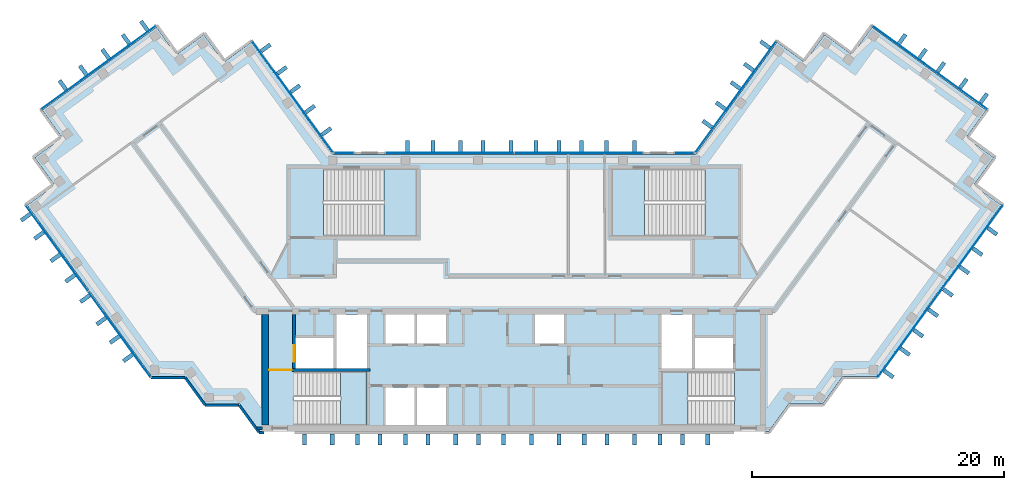
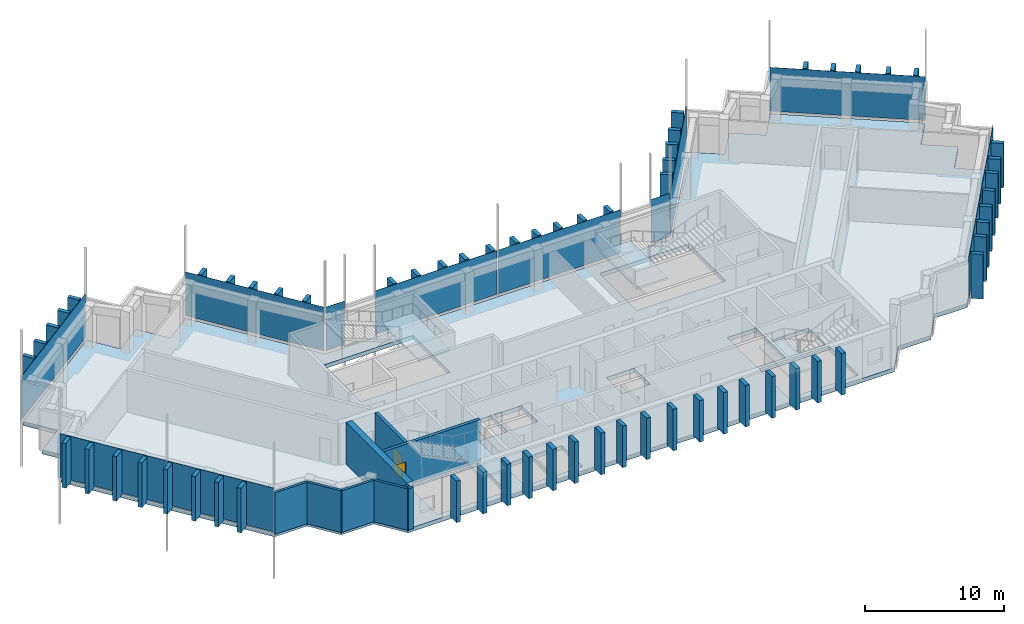
"""IFC4 building model written with IfcOpenShell, lengths in metres."""

from ifc_helpers import new_model, si_unit, direction, frame, frame_2d, origin, origin_2d, place, context, subcontext, project, spatial, polyline, rectangle, outline, extrude, material, layer, layer_set, type_object, element, fill, aggregate, save


model = new_model("IFC4")

# Units and contexts
model_context = context("Model", 3, precision=1e-05, world=origin(), true_north=direction((0.0, 1.0)))
body_context = subcontext(model_context, "Body", "Model", "MODEL_VIEW")
ifc_project = project(units=[si_unit("LENGTHUNIT", "METRE"), si_unit("AREAUNIT", "SQUARE_METRE"), si_unit("VOLUMEUNIT", "CUBIC_METRE"), si_unit("PLANEANGLEUNIT", "RADIAN"), si_unit("MASSUNIT", "GRAM", prefix="KILO")], contexts=[model_context])

# Site, building, storey
site_placement = place(None, origin())
site = spatial("IfcSite", under=ifc_project, at=site_placement, CompositionType="ELEMENT")
building_placement = place(site_placement, origin())
building = spatial("IfcBuilding", under=site, at=building_placement, Name="Quipu Civic Tower", CompositionType="ELEMENT")
storey_1_placement = place(building_placement, frame((0.0, 0.0, 347.0)))
storey_1 = spatial("IfcBuildingStorey", under=building, at=storey_1_placement, Name="L81", CompositionType="ELEMENT", Elevation=347.0)

# Slab
ifc_material_1 = material(Name="Concrete C40/50", Category="concrete")
ifc_layer_1 = layer(ifc_material_1, 0.35009765625)
ifc_layer_set_1 = layer_set([ifc_layer_1], Name="Concrete C40/50")
slab_type_1 = type_object("IfcSlabType", Name="Floor slab 350 C40/50", PredefinedType="FLOOR", material=ifc_layer_set_1)
slab_1_placement = place(storey_1_placement, frame((0.0, 0.0, -0.35009765625)))
element("IfcSlab", 1, at=slab_1_placement, inside=storey_1, type_object=slab_type_1, Name="Floor slab L81", PredefinedType="FLOOR", context=body_context, shape_type="SweptSolid", body=[
    extrude(outline(polyline([(20.860107421875, 19.89501953125), (23.0400390625, 18.31005859375), (24.6298828125, 20.4951171875), (26.81494140625, 18.905029296875), (28.39990234375, 21.090087890625), (37.4599609375, 14.5048828125), (35.875, 12.320068359375), (38.06005859375, 10.735107421875), (36.469970703125, 8.550048828125), (38.655029296875, 6.965087890625), (28.780029296875, -6.6298828125), (26.080078125, -6.6298828125), (24.489990234375, -8.81494140625), (21.7900390625, -8.81494140625), (20.205078125, -11.0), (-20.205078125, -11.0), (-21.7900390625, -8.81494140625), (-24.489990234375, -8.81494140625), (-26.080078125, -6.6298828125), (-28.780029296875, -6.6298828125), (-38.655029296875, 6.965087890625), (-36.469970703125, 8.550048828125), (-38.06005859375, 10.735107421875), (-35.875, 12.320068359375), (-37.4599609375, 14.5048828125), (-28.39990234375, 21.090087890625), (-26.81494140625, 18.905029296875), (-24.6298828125, 20.4951171875), (-23.0400390625, 18.31005859375), (-20.860107421875, 19.89501953125), (-14.39501953125, 11.0), (14.39501953125, 11.0), (20.860107421875, 19.89501953125)]), holes=[polyline([(-10.199951171875, -10.5), (-7.89990234375, -10.5), (-7.89990234375, -7.5), (-10.199951171875, -7.5), (-10.199951171875, -10.5)]), polyline([(-7.699951171875, -7.5), (-7.699951171875, -10.5), (-5.39990234375, -10.5), (-5.39990234375, -7.5), (-7.699951171875, -7.5)]), polyline([(-11.705078125, -6.2548828125), (-17.4951171875, -6.2548828125), (-17.4951171875, -10.4951171875), (-11.705078125, -10.4951171875), (-11.705078125, -6.2548828125)]), polyline([(-17.35009765625, -6.0), (-14.35009765625, -6.0), (-14.35009765625, -3.60009765625), (-17.35009765625, -3.60009765625), (-17.35009765625, -6.0)]), polyline([(-14.10009765625, -1.699951171875), (-14.10009765625, -6.0), (-11.699951171875, -6.0), (-11.699951171875, -1.699951171875), (-14.10009765625, -1.699951171875)]), polyline([(-10.199951171875, -1.699951171875), (-10.199951171875, -4.0), (-7.89990234375, -4.0), (-7.89990234375, -1.699951171875), (-10.199951171875, -1.699951171875)]), polyline([(-15.14501953125, 9.844970703125), (-15.14501953125, 4.5048828125), (-7.7548828125, 4.5048828125), (-7.7548828125, 9.844970703125), (-15.14501953125, 9.844970703125)]), polyline([(11.705078125, -10.4951171875), (17.4951171875, -10.4951171875), (17.4951171875, -6.2548828125), (11.705078125, -6.2548828125), (11.705078125, -10.4951171875)]), polyline([(14.35009765625, -3.60009765625), (14.35009765625, -6.0), (17.35009765625, -6.0), (17.35009765625, -3.60009765625), (14.35009765625, -3.60009765625)]), polyline([(11.699951171875, -1.699951171875), (11.699951171875, -6.0), (14.10009765625, -6.0), (14.10009765625, -1.699951171875), (11.699951171875, -1.699951171875)]), polyline([(-7.699951171875, -1.699951171875), (-7.699951171875, -4.0), (-5.39990234375, -4.0), (-5.39990234375, -1.699951171875), (-7.699951171875, -1.699951171875)]), polyline([(1.64990234375, -1.699951171875), (1.64990234375, -4.0), (3.949951171875, -4.0), (3.949951171875, -1.699951171875), (1.64990234375, -1.699951171875)]), polyline([(7.7548828125, 4.5048828125), (15.14501953125, 4.5048828125), (15.14501953125, 9.844970703125), (7.7548828125, 9.844970703125), (7.7548828125, 4.5048828125)])]), origin(), (0.0, 0.0, 1.0), 0.35009765625),
])

# Curtain wall, plate
ifc_material_2 = material(Name="Insulated glass unit", Category="glass")
curtain_wall_type = type_object("IfcCurtainWallType", Name="Office curtain wall CW1", PredefinedType="NOTDEFINED", material=ifc_material_2)
curtain_wall_1_placement = place(storey_1_placement, origin())
curtain_wall_1 = element("IfcCurtainWall", 2, at=curtain_wall_1_placement, inside=storey_1, type_object=curtain_wall_type, Name="Office curtain wall CW1 L80 run 1", PredefinedType="NOTDEFINED")
ifc_material_3 = material(Name="Insulated glass unit", Category="glass")
ifc_layer_2 = layer(ifc_material_3, 0.028076171875)
ifc_layer_set_2 = layer_set([ifc_layer_2], Name="Insulated glass unit")
plate_type_1 = type_object("IfcPlateType", Name="Glass panel CW1", PredefinedType="CURTAIN_PANEL", material=ifc_layer_set_2)
plate_1_placement = place(storey_1_placement, frame((-17.590087890625, 15.5673828125, 0.16015625), z_axis=(0.0, 0.0, 1.0), x_axis=(-0.587787771652, 0.809015163947, 0.0)))
plate_1 = element("IfcPlate", 3, at=plate_1_placement, type_object=plate_type_1, Name="CW1 panel 1.2", PredefinedType="CURTAIN_PANEL", context=body_context, shape_type="SweptSolid", body=[
    extrude(rectangle(XDim=10.88427734375, YDim=0.028076171875, at=origin_2d()), origin(), (0.0, 0.0, 1.0), 3.840087890625),
])
aggregate(curtain_wall_1, [plate_1])

curtain_wall_2_placement = place(storey_1_placement, origin())
curtain_wall_2 = element("IfcCurtainWall", 4, at=curtain_wall_2_placement, inside=storey_1, type_object=curtain_wall_type, Name="Office curtain wall CW1 L80 run 6", PredefinedType="NOTDEFINED")
plate_2_placement = place(storey_1_placement, frame((-32.989990234375, 17.87939453125, 0.16015625), z_axis=(0.0, 0.0, 1.0), x_axis=(-0.809015176832, -0.587787753918, 0.0)))
plate_2 = element("IfcPlate", 5, at=plate_2_placement, type_object=plate_type_1, Name="CW1 panel 1.2", PredefinedType="CURTAIN_PANEL", context=body_context, shape_type="SweptSolid", body=[
    extrude(rectangle(XDim=11.239990234375, YDim=0.028076171875, at=origin_2d()), origin(), (0.0, 0.0, 1.0), 3.840087890625),
])
aggregate(curtain_wall_2, [plate_2])

# Curtain wall, plates
curtain_wall_3_placement = place(storey_1_placement, origin())
curtain_wall_3 = element("IfcCurtainWall", 6, at=curtain_wall_3_placement, inside=storey_1, type_object=curtain_wall_type, Name="Office curtain wall CW1 L80 run 11", PredefinedType="NOTDEFINED")
plate_3_placement = place(storey_1_placement, frame((-36.292724609375, 3.54052734375, 0.16015625), z_axis=(0.0, 0.0, 1.0), x_axis=(0.587786237643, -0.809016278475, 0.0)))
plate_3 = element("IfcPlate", 7, at=plate_3_placement, type_object=plate_type_1, Name="CW1 panel 1.2", PredefinedType="CURTAIN_PANEL", context=body_context, shape_type="SweptSolid", body=[
    extrude(rectangle(XDim=8.35791015625, YDim=0.028076171875, at=origin_2d()), origin(), (0.0, 0.0, 1.0), 3.840087890625),
])
plate_4_placement = place(storey_1_placement, frame((-31.333251953125, -3.285888671875, 0.16015625), z_axis=(0.0, 0.0, 1.0), x_axis=(0.587786237643, -0.809016278475, 0.0)))
plate_4 = element("IfcPlate", 8, at=plate_4_placement, type_object=plate_type_1, Name="CW1 panel 2.2", PredefinedType="CURTAIN_PANEL", context=body_context, shape_type="SweptSolid", body=[
    extrude(rectangle(XDim=8.35791015625, YDim=0.028076171875, at=origin_2d()), origin(), (0.0, 0.0, 1.0), 3.840087890625),
])
aggregate(curtain_wall_3, [plate_3, plate_4])

# Curtain wall, plate
curtain_wall_4_placement = place(storey_1_placement, origin())
curtain_wall_4 = element("IfcCurtainWall", 9, at=curtain_wall_4_placement, inside=storey_1, type_object=curtain_wall_type, Name="Office curtain wall CW1 L80 run 21", PredefinedType="NOTDEFINED")
plate_5_placement = place(storey_1_placement, frame((32.989990234375, 17.87939453125, 0.16015625), z_axis=(0.0, 0.0, 1.0), x_axis=(-0.809015176832, 0.587787753918, 0.0)))
plate_5 = element("IfcPlate", 10, at=plate_5_placement, type_object=plate_type_1, Name="CW1 panel 1.2", PredefinedType="CURTAIN_PANEL", context=body_context, shape_type="SweptSolid", body=[
    extrude(rectangle(XDim=11.239990234375, YDim=0.028076171875, at=origin_2d()), origin(), (0.0, 0.0, 1.0), 3.840087890625),
])
aggregate(curtain_wall_4, [plate_5])

curtain_wall_5_placement = place(storey_1_placement, origin())
curtain_wall_5 = element("IfcCurtainWall", 11, at=curtain_wall_5_placement, inside=storey_1, type_object=curtain_wall_type, Name="Office curtain wall CW1 L80 run 26", PredefinedType="NOTDEFINED")
plate_6_placement = place(storey_1_placement, frame((17.590087890625, 15.5673828125, 0.16015625), z_axis=(0.0, 0.0, 1.0), x_axis=(-0.587787771652, -0.809015163947, 0.0)))
plate_6 = element("IfcPlate", 12, at=plate_6_placement, type_object=plate_type_1, Name="CW1 panel 1.2", PredefinedType="CURTAIN_PANEL", context=body_context, shape_type="SweptSolid", body=[
    extrude(rectangle(XDim=10.88427734375, YDim=0.028076171875, at=origin_2d()), origin(), (0.0, 0.0, 1.0), 3.840087890625),
])
aggregate(curtain_wall_5, [plate_6])

curtain_wall_6_placement = place(storey_1_placement, origin())
curtain_wall_6 = element("IfcCurtainWall", 13, at=curtain_wall_6_placement, inside=storey_1, type_object=curtain_wall_type, Name="Office curtain wall CW1 L80 run 27", PredefinedType="NOTDEFINED")
plate_7_placement = place(storey_1_placement, frame((13.49951171875, 11.10009765625, 0.16015625), z_axis=(0.0, 0.0, 1.0), x_axis=(-1.0, 0.0, 0.0)))
plate_7 = element("IfcPlate", 14, at=plate_7_placement, type_object=plate_type_1, Name="CW1 panel 1.2", PredefinedType="CURTAIN_PANEL", context=body_context, shape_type="SweptSolid", body=[
    extrude(rectangle(XDim=1.529296875, YDim=0.028076171875, at=origin_2d()), origin(), (0.0, 0.0, 1.0), 3.840087890625),
])
aggregate(curtain_wall_6, [plate_7])

# Curtain wall, plates
curtain_wall_7_placement = place(storey_1_placement, origin())
curtain_wall_7 = element("IfcCurtainWall", 15, at=curtain_wall_7_placement, inside=storey_1, type_object=curtain_wall_type, Name="Office curtain wall CW1 L80 run 29", PredefinedType="NOTDEFINED")
plate_8_placement = place(storey_1_placement, frame((5.11181640625, 11.10009765625, 0.16015625), z_axis=(0.0, 0.0, 1.0), x_axis=(-1.0, 0.0, 0.0)))
plate_8 = element("IfcPlate", 16, at=plate_8_placement, type_object=plate_type_1, Name="CW1 panel 1.2", PredefinedType="CURTAIN_PANEL", context=body_context, shape_type="SweptSolid", body=[
    extrude(rectangle(XDim=10.1435546875, YDim=0.028076171875, at=origin_2d()), origin(), (0.0, 0.0, 1.0), 3.840087890625),
])
plate_9_placement = place(storey_1_placement, frame((-5.11181640625, 11.10009765625, 0.16015625), z_axis=(0.0, 0.0, 1.0), x_axis=(-1.0, 0.0, 0.0)))
plate_9 = element("IfcPlate", 17, at=plate_9_placement, type_object=plate_type_1, Name="CW1 panel 2.2", PredefinedType="CURTAIN_PANEL", context=body_context, shape_type="SweptSolid", body=[
    extrude(rectangle(XDim=10.1435546875, YDim=0.028076171875, at=origin_2d()), origin(), (0.0, 0.0, 1.0), 3.840087890625),
])
aggregate(curtain_wall_7, [plate_8, plate_9])

# Curtain wall, plate
curtain_wall_8_placement = place(storey_1_placement, origin())
curtain_wall_8 = element("IfcCurtainWall", 18, at=curtain_wall_8_placement, inside=storey_1, type_object=curtain_wall_type, Name="Office curtain wall CW1 L80 run 31", PredefinedType="NOTDEFINED")
plate_10_placement = place(storey_1_placement, frame((-13.49951171875, 11.10009765625, 0.16015625), z_axis=(0.0, 0.0, 1.0), x_axis=(-1.0, 0.0, 0.0)))
plate_10 = element("IfcPlate", 19, at=plate_10_placement, type_object=plate_type_1, Name="CW1 panel 1.2", PredefinedType="CURTAIN_PANEL", context=body_context, shape_type="SweptSolid", body=[
    extrude(rectangle(XDim=1.529296875, YDim=0.028076171875, at=origin_2d()), origin(), (0.0, 0.0, 1.0), 3.840087890625),
])
aggregate(curtain_wall_8, [plate_10])

# Storey
storey_2_placement = place(building_placement, frame((0.0, 0.0, 351.0)))
storey_2 = spatial("IfcBuildingStorey", under=building, at=storey_2_placement, Name="L82", CompositionType="ELEMENT", Elevation=351.0)

# Curtain wall, plates
curtain_wall_9_placement = place(storey_2_placement, origin())
curtain_wall_9 = element("IfcCurtainWall", 20, at=curtain_wall_9_placement, inside=storey_2, type_object=curtain_wall_type, Name="Office curtain wall CW1 L81 run 4", PredefinedType="NOTDEFINED")
plate_11_placement = place(storey_1_placement, frame((31.333251953125, -3.285888671875, 0.240234375), z_axis=(0.0, 0.0, 1.0), x_axis=(0.587786237643, 0.809016278475, 0.0)))
plate_11 = element("IfcPlate", 21, at=plate_11_placement, inside=storey_1, type_object=plate_type_1, Name="CW1 panel 1.1", PredefinedType="CURTAIN_PANEL", context=body_context, shape_type="SweptSolid", body=[
    extrude(rectangle(XDim=8.35791015625, YDim=0.028076171875, at=origin_2d()), origin(), (0.0, 0.0, 1.0), 3.760009765625),
])
plate_12_placement = place(storey_1_placement, frame((36.292724609375, 3.54052734375, 0.240234375), z_axis=(0.0, 0.0, 1.0), x_axis=(0.587786237643, 0.809016278475, 0.0)))
plate_12 = element("IfcPlate", 22, at=plate_12_placement, inside=storey_1, type_object=plate_type_1, Name="CW1 panel 2.1", PredefinedType="CURTAIN_PANEL", context=body_context, shape_type="SweptSolid", body=[
    extrude(rectangle(XDim=8.35791015625, YDim=0.028076171875, at=origin_2d()), origin(), (0.0, 0.0, 1.0), 3.760009765625),
])
aggregate(curtain_wall_9, [plate_11, plate_12])

# Plates
ifc_material_4 = material(Name="Precast concrete C40/50", Category="concrete")
plate_type_2 = type_object("IfcPlateType", Name="Precast fin F3", PredefinedType="SHEET", material=ifc_material_4)
for number, where, z_axis, x_axis, name in (
    (23, (-14.90380859375, 12.805908203125, 0.080078125), (0.0, 0.0, 1.0), (-0.58778443384, 0.809017589015, 0.0), "Precast fin F3 L81.P04.1"),
    (24, (-16.197021484375, 14.585693359375, 0.080078125), (0.0, 0.0, 1.0), (-0.58778443384, 0.809017589015, 0.0), "Precast fin F3 L81.P04.2"),
    (25, (-17.37255859375, 16.203857421875, 0.080078125), (0.0, 0.0, 1.0), (-0.58778443384, 0.809017589015, 0.0), "Precast fin F3 L81.P04.3"),
    (26, (-18.4306640625, 17.66015625, 0.080078125), (0.0, 0.0, 1.0), (-0.58778443384, 0.809017589015, 0.0), "Precast fin F3 L81.P04.4"),
    (27, (-19.7236328125, 19.43994140625, 0.080078125), (0.0, 0.0, 1.0), (-0.58778443384, 0.809017589015, 0.0), "Precast fin F3 L81.P04.5"),
    (28, (-29.357177734375, 21.198486328125, 0.080078125), (0.0, 0.0, 1.0), (-0.809017072762, -0.587785144401, 0.0), "Precast fin F3 L81.P09.1"),
    (29, (-30.8134765625, 20.140625, 0.080078125), (0.0, 0.0, 1.0), (-0.809017072762, -0.587785144401, 0.0), "Precast fin F3 L81.P09.2"),
    (30, (-32.431640625, 18.96484375, 0.080078125), (0.0, 0.0, 1.0), (-0.809017072762, -0.587785144401, 0.0), "Precast fin F3 L81.P09.3"),
    (31, (-34.21142578125, 17.671875, 0.080078125), (0.0, 0.0, 1.0), (-0.809017072762, -0.587785144401, 0.0), "Precast fin F3 L81.P09.4"),
    (32, (-35.829345703125, 16.496337890625, 0.080078125), (0.0, 0.0, 1.0), (-0.809017072762, -0.587785144401, 0.0), "Precast fin F3 L81.P09.5"),
    (33, (-38.764892578125, 6.007568359375, 0.080078125), (0.0, 0.0, 1.0), (0.587786668783, -0.809015965233, 0.0), "Precast fin F3 L81.P14.1"),
    (34, (-37.70703125, 4.55126953125, 0.080078125), (0.0, 0.0, 1.0), (0.587786668783, -0.809015965233, 0.0), "Precast fin F3 L81.P14.2"),
    (35, (-36.413818359375, 2.771484375, 0.080078125), (0.0, 0.0, 1.0), (0.587786668783, -0.809015965233, 0.0), "Precast fin F3 L81.P14.3"),
    (36, (-35.23828125, 1.1533203125, 0.080078125), (0.0, 0.0, 1.0), (0.587786668783, -0.809015965233, 0.0), "Precast fin F3 L81.P14.4"),
    (37, (-34.062744140625, -0.464599609375, 0.080078125), (0.0, 0.0, 1.0), (0.587786668783, -0.809015965233, 0.0), "Precast fin F3 L81.P14.5"),
    (38, (-32.76953125, -2.244384765625, 0.080078125), (0.0, 0.0, 1.0), (0.587786668783, -0.809015965233, 0.0), "Precast fin F3 L81.P14.6"),
    (39, (-31.71142578125, -3.70068359375, 0.080078125), (0.0, 0.0, 1.0), (0.587786668783, -0.809015965233, 0.0), "Precast fin F3 L81.P14.7"),
    (40, (-30.653564453125, -5.156982421875, 0.080078125), (0.0, 0.0, 1.0), (0.587786668783, -0.809015965233, 0.0), "Precast fin F3 L81.P14.8"),
):
    element("IfcPlate", number, at=place(storey_1_placement, frame(where, z_axis=z_axis, x_axis=x_axis)), inside=storey_1, type_object=plate_type_2, Name=name, PredefinedType="SHEET", context=body_context, shape_type="SweptSolid", body=[
        extrude(rectangle(XDim=0.320068359375, YDim=0.89990234375, at=origin_2d()), origin(), (0.0, 0.0, 1.0), 3.919921875),
    ])
for number, where, z_axis, x_axis, name in (
    (41, (-16.639892578125, -11.637939453125, 0.0), (0.0, 0.0, 1.0), (1.0, 0.0, 0.0), "Precast fin F3 L81.P21.1"),
    (42, (-14.43994140625, -11.637939453125, 0.0), (0.0, 0.0, 1.0), (1.0, 0.0, 0.0), "Precast fin F3 L81.P21.2"),
    (43, (-12.43994140625, -11.637939453125, 0.0), (0.0, 0.0, 1.0), (1.0, 0.0, 0.0), "Precast fin F3 L81.P21.3"),
    (44, (-10.639892578125, -11.637939453125, 0.0), (0.0, 0.0, 1.0), (1.0, 0.0, 0.0), "Precast fin F3 L81.P21.4"),
    (45, (-8.639892578125, -11.637939453125, 0.0), (0.0, 0.0, 1.0), (1.0, 0.0, 0.0), "Precast fin F3 L81.P21.5"),
    (46, (-6.840087890625, -11.637939453125, 0.0), (0.0, 0.0, 1.0), (1.0, 0.0, 0.0), "Precast fin F3 L81.P21.6"),
    (47, (-4.639892578125, -11.637939453125, 0.0), (0.0, 0.0, 1.0), (1.0, 0.0, 0.0), "Precast fin F3 L81.P21.7"),
    (48, (-2.840087890625, -11.637939453125, 0.0), (0.0, 0.0, 1.0), (1.0, 0.0, 0.0), "Precast fin F3 L81.P21.8"),
    (49, (-0.840087890625, -11.637939453125, 0.0), (0.0, 0.0, 1.0), (1.0, 0.0, 0.0), "Precast fin F3 L81.P21.9"),
    (50, (1.360107421875, -11.637939453125, 0.0), (0.0, 0.0, 1.0), (1.0, 0.0, 0.0), "Precast fin F3 L81.P21.10"),
    (51, (3.56005859375, -11.637939453125, 0.0), (0.0, 0.0, 1.0), (1.0, 0.0, 0.0), "Precast fin F3 L81.P21.11"),
    (52, (5.56005859375, -11.637939453125, 0.0), (0.0, 0.0, 1.0), (1.0, 0.0, 0.0), "Precast fin F3 L81.P21.12"),
    (53, (7.360107421875, -11.637939453125, 0.0), (0.0, 0.0, 1.0), (1.0, 0.0, 0.0), "Precast fin F3 L81.P21.13"),
    (54, (9.56005859375, -11.637939453125, 0.0), (0.0, 0.0, 1.0), (1.0, 0.0, 0.0), "Precast fin F3 L81.P21.14"),
    (55, (11.56005859375, -11.637939453125, 0.0), (0.0, 0.0, 1.0), (1.0, 0.0, 0.0), "Precast fin F3 L81.P21.15"),
    (56, (13.360107421875, -11.637939453125, 0.0), (0.0, 0.0, 1.0), (1.0, 0.0, 0.0), "Precast fin F3 L81.P21.16"),
    (57, (15.360107421875, -11.637939453125, 0.0), (0.0, 0.0, 1.0), (1.0, 0.0, 0.0), "Precast fin F3 L81.P21.17"),
):
    element("IfcPlate", number, at=place(storey_1_placement, frame(where, z_axis=z_axis, x_axis=x_axis)), inside=storey_1, type_object=plate_type_2, Name=name, PredefinedType="SHEET", context=body_context, shape_type="SweptSolid", body=[
        extrude(rectangle(XDim=0.320068359375, YDim=0.89990234375, at=origin_2d()), origin(), (0.0, 0.0, 1.0), 3.64990234375),
    ])
for number, where, z_axis, x_axis, name in (
    (58, (37.26953125, 15.449951171875, 0.080078125), (0.0, 0.0, 1.0), (-0.809017072762, 0.587785144401, 0.0), "Precast fin F3 L81.P25.1"),
    (59, (35.6513671875, 16.62548828125, 0.080078125), (0.0, 0.0, 1.0), (-0.809017072762, 0.587785144401, 0.0), "Precast fin F3 L81.P25.2"),
    (60, (33.87158203125, 17.918701171875, 0.080078125), (0.0, 0.0, 1.0), (-0.809017072762, 0.587785144401, 0.0), "Precast fin F3 L81.P25.3"),
    (61, (32.415283203125, 18.976806640625, 0.080078125), (0.0, 0.0, 1.0), (-0.809017072762, 0.587785144401, 0.0), "Precast fin F3 L81.P25.4"),
    (62, (30.79736328125, 20.15234375, 0.080078125), (0.0, 0.0, 1.0), (-0.809017072762, 0.587785144401, 0.0), "Precast fin F3 L81.P25.5"),
    (63, (19.914794921875, 19.702880859375, 0.080078125), (0.0, 0.0, 1.0), (-0.58778443384, -0.809017589015, 0.0), "Precast fin F3 L81.P30.1"),
    (64, (18.62158203125, 17.923095703125, 0.080078125), (0.0, 0.0, 1.0), (-0.58778443384, -0.809017589015, 0.0), "Precast fin F3 L81.P30.2"),
    (65, (17.563720703125, 16.466796875, 0.080078125), (0.0, 0.0, 1.0), (-0.58778443384, -0.809017589015, 0.0), "Precast fin F3 L81.P30.3"),
    (66, (16.38818359375, 14.848876953125, 0.080078125), (0.0, 0.0, 1.0), (-0.58778443384, -0.809017589015, 0.0), "Precast fin F3 L81.P30.4"),
    (67, (15.330078125, 13.392578125, 0.080078125), (0.0, 0.0, 1.0), (-0.58778443384, -0.809017589015, 0.0), "Precast fin F3 L81.P30.5"),
    (68, (9.5400390625, 11.64990234375, 0.080078125), (0.0, 0.0, 1.0), (-1.0, 0.0, 0.0), "Precast fin F3 L81.P33.1"),
    (69, (7.340087890625, 11.64990234375, 0.080078125), (0.0, 0.0, 1.0), (-1.0, 0.0, 0.0), "Precast fin F3 L81.P33.2"),
    (70, (5.340087890625, 11.64990234375, 0.080078125), (0.0, 0.0, 1.0), (-1.0, 0.0, 0.0), "Precast fin F3 L81.P33.3"),
    (71, (3.5400390625, 11.64990234375, 0.080078125), (0.0, 0.0, 1.0), (-1.0, 0.0, 0.0), "Precast fin F3 L81.P33.4"),
    (72, (1.739990234375, 11.64990234375, 0.080078125), (0.0, 0.0, 1.0), (-1.0, 0.0, 0.0), "Precast fin F3 L81.P33.5"),
    (73, (-0.260009765625, 11.64990234375, 0.080078125), (0.0, 0.0, 1.0), (-1.0, 0.0, 0.0), "Precast fin F3 L81.P33.6"),
    (74, (-2.4599609375, 11.64990234375, 0.080078125), (0.0, 0.0, 1.0), (-1.0, 0.0, 0.0), "Precast fin F3 L81.P33.7"),
    (75, (-4.260009765625, 11.64990234375, 0.080078125), (0.0, 0.0, 1.0), (-1.0, 0.0, 0.0), "Precast fin F3 L81.P33.8"),
    (76, (-6.4599609375, 11.64990234375, 0.080078125), (0.0, 0.0, 1.0), (-1.0, 0.0, 0.0), "Precast fin F3 L81.P33.9"),
    (77, (-8.4599609375, 11.64990234375, 0.080078125), (0.0, 0.0, 1.0), (-1.0, 0.0, 0.0), "Precast fin F3 L81.P33.10"),
    (78, (29.721923828125, -6.43896484375, 0.080078125), (0.0, 0.0, 1.0), (0.587786668783, 0.809015965233, 0.0), "Precast fin F3 L81.4.1"),
    (79, (31.01513671875, -4.6591796875, 0.080078125), (0.0, 0.0, 1.0), (0.587786668783, 0.809015965233, 0.0), "Precast fin F3 L81.4.2"),
    (80, (32.0732421875, -3.202880859375, 0.080078125), (0.0, 0.0, 1.0), (0.587786668783, 0.809015965233, 0.0), "Precast fin F3 L81.4.3"),
    (81, (33.248779296875, -1.5849609375, 0.080078125), (0.0, 0.0, 1.0), (0.587786668783, 0.809015965233, 0.0), "Precast fin F3 L81.4.4"),
    (82, (34.42431640625, 0.033203125, 0.080078125), (0.0, 0.0, 1.0), (0.587786668783, 0.809015965233, 0.0), "Precast fin F3 L81.4.5"),
    (83, (35.717529296875, 1.81298828125, 0.080078125), (0.0, 0.0, 1.0), (0.587786668783, 0.809015965233, 0.0), "Precast fin F3 L81.4.6"),
    (84, (36.775390625, 3.269287109375, 0.080078125), (0.0, 0.0, 1.0), (0.587786668783, 0.809015965233, 0.0), "Precast fin F3 L81.4.7"),
    (85, (37.950927734375, 4.88720703125, 0.080078125), (0.0, 0.0, 1.0), (0.587786668783, 0.809015965233, 0.0), "Precast fin F3 L81.4.8"),
):
    element("IfcPlate", number, at=place(storey_1_placement, frame(where, z_axis=z_axis, x_axis=x_axis)), inside=storey_1, type_object=plate_type_2, Name=name, PredefinedType="SHEET", context=body_context, shape_type="SweptSolid", body=[
        extrude(rectangle(XDim=0.320068359375, YDim=0.89990234375, at=origin_2d()), origin(), (0.0, 0.0, 1.0), 3.919921875),
    ])

# Stair, slab
ifc_material_5 = material(Name="Concrete C40/50", Category="concrete")
stair_type_1 = type_object("IfcStairType", Name="Half turn stair 2000", PredefinedType="HALF_TURN_STAIR", material=ifc_material_5)
stair_1_placement = place(storey_1_placement, origin())
stair_1 = element("IfcStair", 86, at=stair_1_placement, inside=storey_1, type_object=stair_type_1, Name="Exit stair 1", PredefinedType="HALF_TURN_STAIR")
ifc_material_6 = material(Name="Concrete C40/50", Category="concrete")
ifc_layer_3 = layer(ifc_material_6, 0.199951171875)
ifc_layer_set_3 = layer_set([ifc_layer_3], Name="Concrete C40/50")
slab_type_2 = type_object("IfcSlabType", Name="Stair landing 200", PredefinedType="LANDING", material=ifc_layer_set_3)
slab_2_placement = place(storey_1_placement, frame((0.0, 0.0, 1.800048828125)))
slab_2 = element("IfcSlab", 87, at=slab_2_placement, type_object=slab_type_2, Name="ST-1 landing 1", PredefinedType="LANDING", context=body_context, shape_type="SweptSolid", body=[
    extrude(outline(polyline([(-13.780029296875, -10.5), (-11.699951171875, -10.5), (-11.699951171875, -6.25), (-13.780029296875, -6.25), (-13.780029296875, -10.5)])), origin(), (0.0, 0.0, 1.0), 0.199951171875),
])
aggregate(stair_1, [slab_2])

stair_2_placement = place(storey_1_placement, origin())
stair_2 = element("IfcStair", 88, at=stair_2_placement, inside=storey_1, type_object=stair_type_1, Name="Exit stair 2", PredefinedType="HALF_TURN_STAIR")
slab_3_placement = place(storey_1_placement, frame((0.0, 0.0, 1.800048828125)))
slab_3 = element("IfcSlab", 89, at=slab_3_placement, type_object=slab_type_2, Name="ST-2 landing 1", PredefinedType="LANDING", context=body_context, shape_type="SweptSolid", body=[
    extrude(outline(polyline([(13.780029296875, -6.25), (11.699951171875, -6.25), (11.699951171875, -10.5), (13.780029296875, -10.5), (13.780029296875, -6.25)])), origin(), (0.0, 0.0, 1.0), 0.199951171875),
])
aggregate(stair_2, [slab_3])

ifc_material_7 = material(Name="Concrete C40/50", Category="concrete")
stair_type_2 = type_object("IfcStairType", Name="Half turn stair 2600", PredefinedType="HALF_TURN_STAIR", material=ifc_material_7)
stair_3_placement = place(storey_1_placement, origin())
stair_3 = element("IfcStair", 90, at=stair_3_placement, inside=storey_1, type_object=stair_type_2, Name="Exit stair 3", PredefinedType="HALF_TURN_STAIR")
slab_4_placement = place(storey_1_placement, frame((0.0, 0.0, 1.800048828125)))
slab_4 = element("IfcSlab", 91, at=slab_4_placement, type_object=slab_type_2, Name="ST-3 landing 1", PredefinedType="LANDING", context=body_context, shape_type="SweptSolid", body=[
    extrude(outline(polyline([(-10.35009765625, 4.5), (-7.75, 4.5), (-7.75, 9.85009765625), (-10.35009765625, 9.85009765625), (-10.35009765625, 4.5)])), origin(), (0.0, 0.0, 1.0), 0.199951171875),
])
aggregate(stair_3, [slab_4])

stair_4_placement = place(storey_1_placement, origin())
stair_4 = element("IfcStair", 92, at=stair_4_placement, inside=storey_1, type_object=stair_type_2, Name="Exit stair 4", PredefinedType="HALF_TURN_STAIR")
slab_5_placement = place(storey_1_placement, frame((0.0, 0.0, 1.800048828125)))
slab_5 = element("IfcSlab", 93, at=slab_5_placement, type_object=slab_type_2, Name="ST-4 landing 1", PredefinedType="LANDING", context=body_context, shape_type="SweptSolid", body=[
    extrude(outline(polyline([(10.35009765625, 9.85009765625), (7.75, 9.85009765625), (7.75, 4.5), (10.35009765625, 4.5), (10.35009765625, 9.85009765625)])), origin(), (0.0, 0.0, 1.0), 0.199951171875),
])
aggregate(stair_4, [slab_5])

# Wall, opening, door
ifc_material_8 = material(Name="Concrete C70/85", Category="concrete")
ifc_layer_4 = layer(ifc_material_8, 0.25)
ifc_layer_set_4 = layer_set([ifc_layer_4], Name="Concrete C70/85")
wall_type_1 = type_object("IfcWallType", Name="Core wall 250", PredefinedType="SHEAR", material=ifc_layer_set_4)
wall_1_placement = place(storey_1_placement, frame((-11.449951171875, -6.125, 0.0), z_axis=(0.0, 0.0, 1.0), x_axis=(-1.0, 0.0, 0.0)))
wall_1 = element("IfcWall", 94, at=wall_1_placement, inside=storey_1, type_object=wall_type_1, Name="Core wall", PredefinedType="SHEAR", context=body_context, shape_type="SweptSolid", body=[
    extrude(rectangle(XDim=8.050048828125, YDim=0.25, at=frame_2d((4.02490234375, 0.0))), origin(), (0.0, 0.0, 1.0), 3.64990234375),
])
opening_1_placement = place(wall_1_placement, frame((6.199951171875, 0.0, 0.0)))
opening_1 = element("IfcOpeningElement", 95, at=opening_1_placement, cuts=wall_1, Name="Opening CD-07", PredefinedType="OPENING", context=body_context, shape_type="SweptSolid", body=[
    extrude(rectangle(XDim=1.800048828125, YDim=2.10009765625, at=frame_2d((0.89990234375, 1.050048828125))), frame((0.0, 0.135009765625, 0.0), z_axis=(0.0, -1.0, 0.0), x_axis=(1.0, 0.0, 0.0)), (0.0, 0.0, 1.0), 0.27001953125),
])
ifc_material_9 = material(Name="Fire rated steel door", Category="steel")
door_type_1 = type_object("IfcDoorType", Name="Fire door FD90 double 1800 x 2100", OperationType="NOTDEFINED", PredefinedType="DOOR", material=ifc_material_9)
door_1_placement = place(opening_1_placement, origin())
door_1 = element("IfcDoor", 96, at=door_1_placement, inside=storey_1, type_object=door_type_1, Name="Door", OperationType="DOUBLE_DOOR_SINGLE_SWING", OverallHeight=2.10009765625, OverallWidth=1.800048828125, PredefinedType="DOOR", context=body_context, shape_type="SweptSolid", body=[
    extrude(rectangle(XDim=1.800048828125, YDim=2.10009765625, at=frame_2d((0.89990234375, 1.050048828125))), frame((0.0, 0.02490234375, 0.0), z_axis=(0.0, -1.0, 0.0), x_axis=(1.0, 0.0, 0.0)), (0.0, 0.0, 1.0), 0.050048828125),
])
fill(opening_1, door_1)

wall_2_placement = place(storey_1_placement, frame((-17.47509765625, -6.0, 0.0), z_axis=(0.0, 0.0, 1.0), x_axis=(0.0, 1.0, 0.0)))
wall_2 = element("IfcWall", 97, at=wall_2_placement, inside=storey_1, type_object=wall_type_1, Name="Core wall", PredefinedType="SHEAR", context=body_context, shape_type="SweptSolid", body=[
    extrude(rectangle(XDim=4.300048828125, YDim=0.25, at=frame_2d((2.14990234375, 0.0))), origin(), (0.0, 0.0, 1.0), 3.64990234375),
])
opening_2_placement = place(wall_2_placement, frame((0.550048828125, 0.0, 0.0)))
opening_2 = element("IfcOpeningElement", 98, at=opening_2_placement, cuts=wall_2, Name="Opening LD-FF1", PredefinedType="OPENING", context=body_context, shape_type="SweptSolid", body=[
    extrude(rectangle(XDim=1.300048828125, YDim=2.10009765625, at=frame_2d((0.64990234375, 1.050048828125))), frame((0.0, 0.135009765625, 0.0), z_axis=(0.0, -1.0, 0.0), x_axis=(1.0, 0.0, 0.0)), (0.0, 0.0, 1.0), 0.27001953125),
])
ifc_material_10 = material(Name="Stainless steel", Category="steel")
door_type_2 = type_object("IfcDoorType", Name="Lift landing door 1300 x 2100", OperationType="DOUBLE_DOOR_SLIDING", PredefinedType="DOOR", material=ifc_material_10)
door_2_placement = place(opening_2_placement, origin())
door_2 = element("IfcDoor", 99, at=door_2_placement, inside=storey_1, type_object=door_type_2, Name="Landing door FF1", OperationType="DOUBLE_DOOR_SLIDING", OverallHeight=2.10009765625, OverallWidth=1.300048828125, PredefinedType="DOOR", context=body_context, shape_type="SweptSolid", body=[
    extrude(rectangle(XDim=1.300048828125, YDim=2.10009765625, at=frame_2d((0.64990234375, 1.050048828125))), frame((0.0, 0.02490234375, 0.0), z_axis=(0.0, -1.0, 0.0), x_axis=(1.0, 0.0, 0.0)), (0.0, 0.0, 1.0), 0.050048828125),
])
fill(opening_2, door_2)

# Walls
ifc_material_11 = material(Name="Concrete C70/85", Category="concrete")
ifc_layer_5 = layer(ifc_material_11, 0.5)
ifc_layer_set_5 = layer_set([ifc_layer_5], Name="Concrete C70/85")
wall_type_2 = type_object("IfcWallType", Name="Core wall 500", PredefinedType="SHEAR", material=ifc_layer_set_5)
wall_3_placement = place(storey_1_placement, frame((-19.75, -10.5, 0.0), z_axis=(0.0, 0.0, 1.0), x_axis=(0.0, 1.0, 0.0)))
element("IfcWall", 100, at=wall_3_placement, inside=storey_1, type_object=wall_type_2, Name="Core wall", PredefinedType="SHEAR", context=body_context, shape_type="SweptSolid", body=[
    extrude(rectangle(XDim=8.800048828125, YDim=0.5, at=frame_2d((4.39990234375, 0.0))), origin(), (0.0, 0.0, 1.0), 3.64990234375),
])
ifc_material_12 = material(Name="Precast concrete C40/50", Category="concrete")
wall_type_3 = type_object("IfcWallType", Name="Precast cladding wall", PredefinedType="SOLIDWALL", material=ifc_material_12)
wall_4_placement = place(storey_1_placement, frame((-28.829833984375, -6.71923828125, 0.0), z_axis=(0.0, 0.0, 1.0), x_axis=(1.0, 0.0, 0.0)))
element("IfcWall", 101, at=wall_4_placement, inside=storey_1, type_object=wall_type_3, Name="Precast cladding wall L81 P15", PredefinedType="SOLIDWALL", context=body_context, shape_type="SweptSolid", body=[
    extrude(rectangle(XDim=2.699951171875, YDim=0.199951171875, at=frame_2d((1.35009765625, 0.0))), origin(), (0.0, 0.0, 1.0), 3.64990234375),
])
wall_5_placement = place(storey_1_placement, frame((-26.1201171875, -6.72412109375, 0.0), z_axis=(0.0, 0.0, 1.0), x_axis=(0.587720002413, -0.809064397168, 0.0)))
element("IfcWall", 102, at=wall_5_placement, inside=storey_1, type_object=wall_type_3, Name="Precast cladding wall L81 P16", PredefinedType="SOLIDWALL", context=body_context, shape_type="SweptSolid", body=[
    extrude(rectangle(XDim=2.7001953125, YDim=0.199951171875, at=frame_2d((1.35009765625, 0.0))), origin(), (0.0, 0.0, 1.0), 3.64990234375),
])
wall_6_placement = place(storey_1_placement, frame((-24.542724609375, -8.90380859375, 0.0), z_axis=(0.0, 0.0, 1.0), x_axis=(1.0, 0.0, 0.0)))
element("IfcWall", 103, at=wall_6_placement, inside=storey_1, type_object=wall_type_3, Name="Precast cladding wall L81 P17", PredefinedType="SOLIDWALL", context=body_context, shape_type="SweptSolid", body=[
    extrude(rectangle(XDim=2.699951171875, YDim=0.199951171875, at=frame_2d((1.35009765625, 0.0))), origin(), (0.0, 0.0, 1.0), 3.64990234375),
])
wall_7_placement = place(storey_1_placement, frame((-21.8330078125, -8.90869140625, 0.0), z_axis=(0.0, 0.0, 1.0), x_axis=(0.587766567315, -0.809030569476, 0.0)))
element("IfcWall", 104, at=wall_7_placement, inside=storey_1, type_object=wall_type_3, Name="Precast cladding wall L81 P18", PredefinedType="SOLIDWALL", context=body_context, shape_type="SweptSolid", body=[
    extrude(rectangle(XDim=2.687744140625, YDim=0.199951171875, at=frame_2d((1.34375, 0.0))), origin(), (0.0, 0.0, 1.0), 3.64990234375),
])
wall_8_placement = place(storey_1_placement, frame((-20.255859375, -11.087890625, 0.0), z_axis=(0.0, 0.0, 1.0), x_axis=(1.0, 0.0, 0.0)))
element("IfcWall", 105, at=wall_8_placement, inside=storey_1, type_object=wall_type_3, Name="Precast cladding wall L81 P19", PredefinedType="SOLIDWALL", context=body_context, shape_type="SweptSolid", body=[
    extrude(rectangle(XDim=0.40576171875, YDim=0.199951171875, at=frame_2d((0.202880859375, 0.0))), origin(), (0.0, 0.0, 1.0), 3.64990234375),
])
wall_9_placement = place(storey_1_placement, frame((-19.97998046875, -10.75, 0.0), z_axis=(0.0, 0.0, 1.0), x_axis=(-1.0, 0.0, 0.0)))
element("IfcWall", 106, at=wall_9_placement, inside=storey_1, type_object=wall_type_3, Name="Precast cladding return L81 W", PredefinedType="SOLIDWALL", context=body_context, shape_type="SweptSolid", body=[
    extrude(rectangle(XDim=0.41650390625, YDim=0.199951171875, at=frame_2d((0.208251953125, 0.0))), origin(), (0.0, 0.0, 1.0), 3.64990234375),
])

save(model, "model.ifc")
